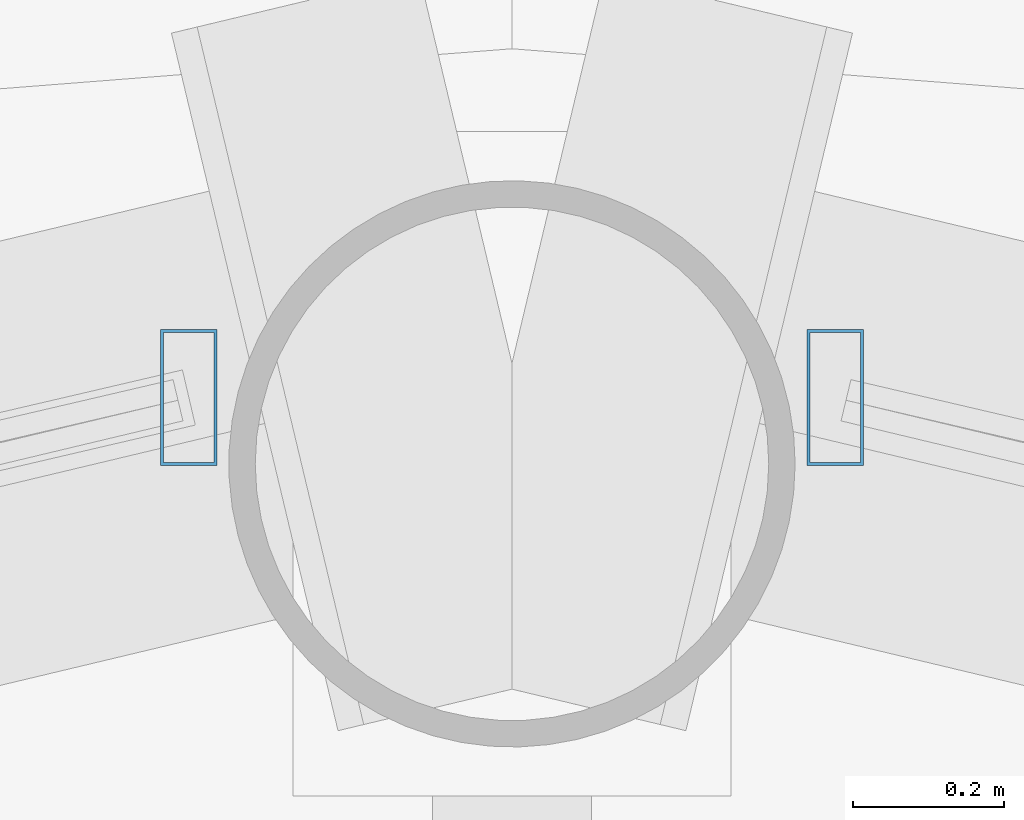
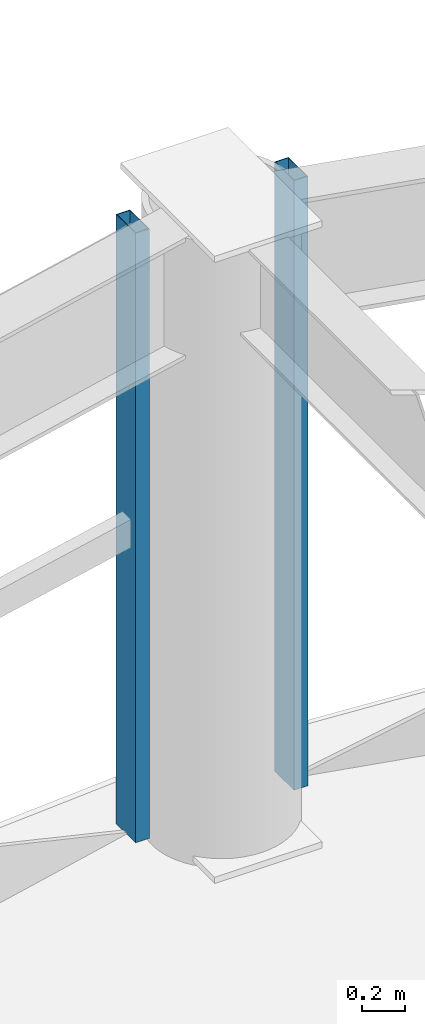
# One storey, part 16 of 29: 2 members, 2 elements without a shape of their own.
"""IFC4 building model written with IfcOpenShell, lengths in metres."""

import ifcopenshell
import ifcopenshell.guid

model = None  # the IFC model being written
_history = None  # IfcOwnerHistory: only IFC2X3 demands one
_inside = {}  # id of a spatial element -> (the spatial element, [elements in it])
_under = {}  # id of a project, library or spatial element -> (it, [spatial elements below it])
_declared = {}  # id of a project -> (the project, [libraries it declares])
_typed = {}  # id of a type object -> (the type object, [elements of that type])
_made_of = {}  # id of a material, layer set ... -> (it, [elements and type objects made of it])


def new_model(schema):
    """Start an empty IFC model of exactly this schema.

    Asked for "IFC4X3", IfcOpenShell would pick the latest addendum, in which some entities
    have other attributes; the version numbers below select the first issue.
    IFC2X3 requires an IfcOwnerHistory on every rooted entity: one is made here for all.
    """
    global model, _history
    if schema == "IFC4X3":
        model = ifcopenshell.file(schema_version=(4, 3, 0, 0))
    else:
        model = ifcopenshell.file(schema=schema)
    _inside.clear()
    _under.clear()
    _declared.clear()
    _typed.clear()
    _made_of.clear()
    _history = None
    if model.schema == "IFC2X3":
        org = make("IfcOrganization", Name="unknown")
        user = make(
            "IfcPersonAndOrganization",
            ThePerson=make("IfcPerson", FamilyName="unknown"),
            TheOrganization=org,
        )
        app = make(
            "IfcApplication",
            ApplicationDeveloper=org,
            Version="unknown",
            ApplicationFullName="unknown",
            ApplicationIdentifier="unknown",
        )
        _history = make(
            "IfcOwnerHistory",
            OwningUser=user,
            OwningApplication=app,
            ChangeAction="ADDED",
            CreationDate=0,
        )
    return model


def make(cls, **values):
    """One entity of the class cls with the attributes given. An attribute that is None is left unset."""
    return model.create_entity(
        cls, **{name: value for name, value in values.items() if value is not None}
    )


def rooted(cls, **values):
    """An entity with a GlobalId (a new one), such as an element, a storey or a relation."""
    return make(cls, GlobalId=ifcopenshell.guid.new(), OwnerHistory=_history, **values)


def si_unit(unit_type, name, prefix=None):
    """IfcSIUnit, for example si_unit("LENGTHUNIT", "METRE", prefix="MILLI")."""
    return make("IfcSIUnit", UnitType=unit_type, Prefix=prefix, Name=name)


def assignment(units):
    """IfcUnitAssignment: the units of a project."""
    return None if units is None else make("IfcUnitAssignment", Units=units)


def point(xyz):
    """IfcCartesianPoint."""
    return None if xyz is None else make("IfcCartesianPoint", Coordinates=xyz)


def direction(xyz):
    """IfcDirection."""
    return None if xyz is None else make("IfcDirection", DirectionRatios=xyz)


def frame(location, z_axis=None, x_axis=None):
    """IfcAxis2Placement3D, a coordinate frame: its origin and axes. An axis left out is left unset."""
    return make(
        "IfcAxis2Placement3D",
        Location=point(location),
        Axis=direction(z_axis),
        RefDirection=direction(x_axis),
    )


def frame_2d(location, x_axis=None):
    """IfcAxis2Placement2D, a coordinate frame in the plane: its origin and x axis."""
    return make(
        "IfcAxis2Placement2D", Location=point(location), RefDirection=direction(x_axis)
    )


def origin():
    """The frame at (0, 0, 0) with its axes left unset."""
    return frame((0.0, 0.0, 0.0))


def origin_2d():
    """The frame at (0, 0) in the plane with its x axis left unset."""
    return frame_2d((0.0, 0.0))


def place(relative_to, where):
    """IfcLocalPlacement: puts the frame where relative to a parent placement (None: the world)."""
    return make(
        "IfcLocalPlacement", PlacementRelTo=relative_to, RelativePlacement=where
    )


def context(
    kind, dimensions, precision=None, world=None, true_north=None, identifier=None
):
    """IfcGeometricRepresentationContext, for example the 3D "Model" context."""
    return make(
        "IfcGeometricRepresentationContext",
        ContextIdentifier=identifier,
        ContextType=kind,
        CoordinateSpaceDimension=dimensions,
        Precision=precision,
        WorldCoordinateSystem=world,
        TrueNorth=true_north,
    )


def subcontext(parent, identifier, kind, view, scale=None):
    """IfcGeometricRepresentationSubContext, for example "Body" below "Model"."""
    return make(
        "IfcGeometricRepresentationSubContext",
        ContextIdentifier=identifier,
        ContextType=kind,
        ParentContext=parent,
        TargetScale=scale,
        TargetView=view,
    )


def project(units=None, contexts=None):
    """IfcProject with its units and contexts."""
    return rooted(
        "IfcProject",
        Name="project",
        RepresentationContexts=contexts,
        UnitsInContext=assignment(units),
    )


def spatial(cls, under=None, at=None, **own):
    """A site, building, storey or space (cls), placed at a placement, below another one or the project."""
    s = rooted(cls, ObjectPlacement=at, **own)
    if under is not None:
        _under.setdefault(under.id(), (under, []))[1].append(s)
    return s


def profile(cls, at=None, kind="AREA", **sizes):
    """A parametric profile (cls). Its sizes go by their IFC names, for example OverallWidth=200.0."""
    return make(cls, ProfileType=kind, Position=at, **sizes)


def hollow_rectangle(**sizes):
    """IfcRectangleHollowProfileDef."""
    return profile("IfcRectangleHollowProfileDef", **sizes)


def extrude(swept, where, along, depth):
    """IfcExtrudedAreaSolid: the profile swept, set in the frame where, extruded along a direction by depth."""
    return make(
        "IfcExtrudedAreaSolid",
        SweptArea=swept,
        Position=where,
        ExtrudedDirection=direction(along),
        Depth=depth,
    )


def shape(context_of_items, identifier, shape_type, items):
    """IfcShapeRepresentation: the items that make up one representation, for example the "Body"."""
    return make(
        "IfcShapeRepresentation",
        ContextOfItems=context_of_items,
        RepresentationIdentifier=identifier,
        RepresentationType=shape_type,
        Items=items,
    )


def material(Name=None, Category=None):
    """IfcMaterial."""
    return make("IfcMaterial", Name=Name, Category=Category)


def layer(
    of_material, thickness, ventilated=None, Name=None, Category=None, Priority=None
):
    """IfcMaterialLayer: one layer of a wall or slab, of a material (None: an air gap)."""
    return make(
        "IfcMaterialLayer",
        Material=of_material,
        LayerThickness=thickness,
        IsVentilated=ventilated,
        Name=Name,
        Category=Category,
        Priority=Priority,
    )


def layer_set(layers, Name=None):
    """IfcMaterialLayerSet."""
    return make("IfcMaterialLayerSet", MaterialLayers=layers, LayerSetName=Name)


def material_profile(
    of_material, cross_section, Name=None, Category=None, Priority=None
):
    """IfcMaterialProfile: a cross section and its material."""
    return make(
        "IfcMaterialProfile",
        Name=Name,
        Material=of_material,
        Profile=cross_section,
        Priority=Priority,
        Category=Category,
    )


def profile_set(profiles, Name=None, composite=None):
    """IfcMaterialProfileSet."""
    return make(
        "IfcMaterialProfileSet",
        Name=Name,
        MaterialProfiles=profiles,
        CompositeProfile=composite,
    )


def made_of(thing, what):
    """Note that an element or type object is made of a material, layer set ...; save() writes the relation."""
    if what is not None:
        _made_of.setdefault(what.id(), (what, []))[1].append(thing)
    return thing


def type_object(cls, material=None, **own):
    """A type object (cls), such as IfcWallType, which elements share."""
    return made_of(rooted(cls, **own), material)


def element(
    cls,
    number,
    at=None,
    inside=None,
    cuts=None,
    type_object=None,
    material=None,
    context=None,
    identifier="Body",
    shape_type=None,
    held_by="IfcProductDefinitionShape",
    body=None,
    shapes=None,
    **own,
):
    """One element of the class cls, such as IfcWall. Its Tag is "e" and its number.

    at: its placement. inside: the storey or other place that contains it. cuts: it is an
    opening in that element (IfcRelVoidsElement). A single representation is given by context,
    identifier, shape_type and body (its items); several are given by shapes. held_by: the class
    of the entity that holds the representations. save() writes the other relations.
    """
    e = rooted(cls, Tag="e%d" % number, ObjectPlacement=at, **own)
    if body is not None:
        shapes = [shape(context, identifier, shape_type, body)]
    if shapes is not None:
        e.Representation = make(held_by, Representations=shapes)
    if inside is not None:
        _inside.setdefault(inside.id(), (inside, []))[1].append(e)
    if cuts is not None:
        rooted(
            "IfcRelVoidsElement", RelatingBuildingElement=cuts, RelatedOpeningElement=e
        )
    if type_object is not None:
        _typed.setdefault(type_object.id(), (type_object, []))[1].append(e)
    return made_of(e, material)


def aggregate(whole, parts):
    """IfcRelAggregates: a whole, such as a stair, and the parts it consists of."""
    return rooted("IfcRelAggregates", RelatingObject=whole, RelatedObjects=parts)


def save(model, path):
    """Write the relations noted so far, then the file.

    IfcRelAggregates (storeys below a building ...), IfcRelContainedInSpatialStructure (elements
    in a storey), IfcRelDefinesByType, IfcRelAssociatesMaterial and IfcRelDeclares: one each for
    every whole, place, type object, material and project.
    """
    for whole, parts in _under.values():
        aggregate(whole, parts)
    for where, things in _inside.values():
        rooted(
            "IfcRelContainedInSpatialStructure",
            RelatedElements=things,
            RelatingStructure=where,
        )
    for kind, things in _typed.values():
        rooted("IfcRelDefinesByType", RelatedObjects=things, RelatingType=kind)
    for what, things in _made_of.values():
        rooted("IfcRelAssociatesMaterial", RelatedObjects=things, RelatingMaterial=what)
    for by, libraries in _declared.values():
        rooted("IfcRelDeclares", RelatingContext=by, RelatedDefinitions=libraries)
    model.write(path)


model = new_model("IFC4")

# Units and contexts
model_context = context("Model", 3, precision=1e-05, world=origin(), true_north=direction((0.0, 1.0)))
body_context = subcontext(model_context, "Body", "Model", "MODEL_VIEW")
ifc_project = project(units=[si_unit("LENGTHUNIT", "METRE"), si_unit("AREAUNIT", "SQUARE_METRE"), si_unit("VOLUMEUNIT", "CUBIC_METRE"), si_unit("PLANEANGLEUNIT", "RADIAN"), si_unit("MASSUNIT", "GRAM", prefix="KILO")], contexts=[model_context])

# Site, building, storey
site_placement = place(None, origin())
site = spatial("IfcSite", under=ifc_project, at=site_placement, CompositionType="ELEMENT")
building_placement = place(site_placement, origin())
building = spatial("IfcBuilding", under=site, at=building_placement, Name="Vantalir Tower", CompositionType="ELEMENT")
storey_placement = place(building_placement, frame((0.0, 0.0, 149.699951171875)))
storey = spatial("IfcBuildingStorey", under=building, at=storey_placement, Name="L37", CompositionType="ELEMENT", Elevation=149.699951171875)

# Curtain wall, member
ifc_material_1 = material(Name="Champagne-silver PVDF aluminium and double-silver Low-E glass", Category="aluminium")
ifc_layer = layer(ifc_material_1, 0.199951171875)
ifc_layer_set = layer_set([ifc_layer], Name="Champagne-silver PVDF aluminium and double-silver Low-E glass")
curtain_wall_type = type_object("IfcCurtainWallType", Name="CW-DIAMOND-Z2", PredefinedType="USERDEFINED", material=ifc_layer_set)
curtain_wall_1_placement = place(storey_placement, origin())
curtain_wall_1 = element("IfcCurtainWall", 1, at=curtain_wall_1_placement, inside=storey, type_object=curtain_wall_type, Name="L37 Quilted Pyramid-Diamond Curtain Wall S03", ObjectType="UNITISED CURTAIN WALL", PredefinedType="USERDEFINED")
ifc_material_2 = material(Name="Champagne-silver PVDF aluminium 6063-T6", Category="aluminium")
ifc_material_profile = material_profile(ifc_material_2, hollow_rectangle(XDim=0.074951171875, YDim=0.179931640625, WallThickness=0.00390625, at=origin_2d()), Name="Champagne-silver PVDF aluminium 6063-T6")
ifc_profile_set = profile_set([ifc_material_profile], Name="Champagne-silver PVDF aluminium 6063-T6")
member_type = type_object("IfcMemberType", Name="CWM-180x75", PredefinedType="MULLION", material=ifc_profile_set)
member_1_placement = place(storey_placement, frame((31.927978515625, 47.156982421875, 0.045166015625), z_axis=(0.0, 0.0, 1.0), x_axis=(1.0, 0.0, 0.0)))
member_1 = element("IfcMember", 2, at=member_1_placement, type_object=member_type, Name="CW-L37-S03 Mullion 2", PredefinedType="MULLION", context=body_context, shape_type="SweptSolid", body=[
    extrude(hollow_rectangle(XDim=0.074951171875, YDim=0.179931640625, WallThickness=0.00390625, at=origin_2d()), origin(), (0.0, 0.0, 1.0), 3.47998046875),
])
aggregate(curtain_wall_1, [member_1])

curtain_wall_2_placement = place(storey_placement, origin())
curtain_wall_2 = element("IfcCurtainWall", 3, at=curtain_wall_2_placement, inside=storey, type_object=curtain_wall_type, Name="L37 Quilted Pyramid-Diamond Curtain Wall S04", ObjectType="UNITISED CURTAIN WALL", PredefinedType="USERDEFINED")
member_2_placement = place(storey_placement, frame((31.072021484375, 47.156982421875, 0.045166015625), z_axis=(0.0, 0.0, 1.0), x_axis=(1.0, 0.0, 0.0)))
member_2 = element("IfcMember", 4, at=member_2_placement, type_object=member_type, Name="CW-L37-S04 Mullion 1", PredefinedType="MULLION", context=body_context, shape_type="SweptSolid", body=[
    extrude(hollow_rectangle(XDim=0.074951171875, YDim=0.179931640625, WallThickness=0.00390625, at=origin_2d()), origin(), (0.0, 0.0, 1.0), 3.47998046875),
])
aggregate(curtain_wall_2, [member_2])

save(model, "model.ifc")
